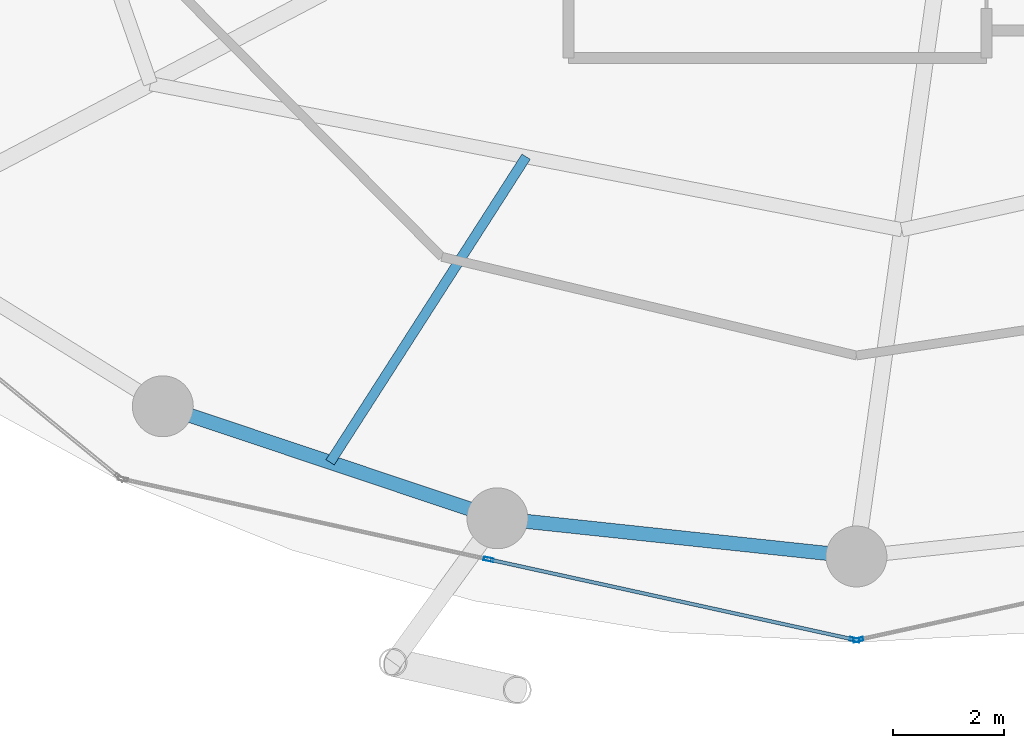
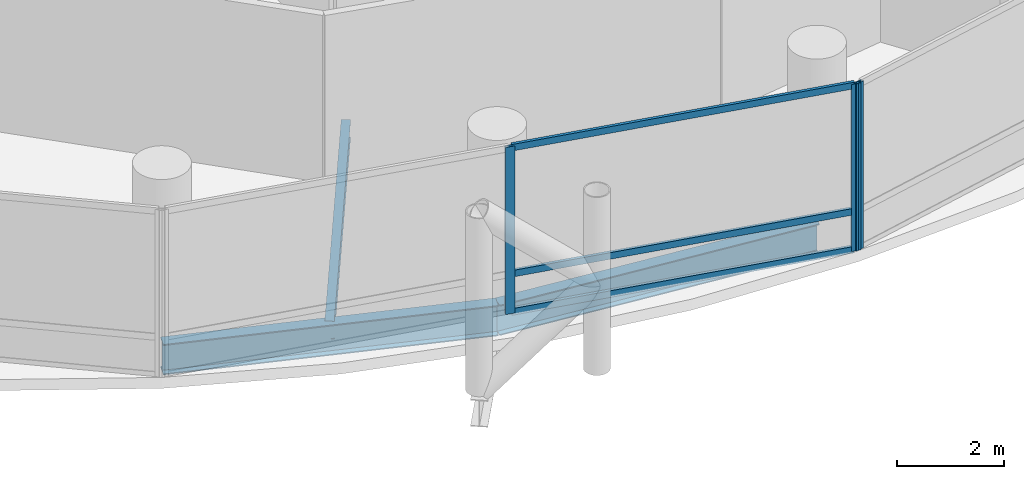
# One storey, part 4 of 24: 6 members, 3 beams, 2 elements without a shape of their own.
"""IFC4 building model written with IfcOpenShell, lengths in metres."""

from ifc_helpers import new_model, si_unit, direction, frame, origin, origin_2d, place, context, subcontext, project, spatial, hollow_rectangle, i_section, extrude, material, layer, layer_set, material_profile, profile_set, type_object, element, aggregate, save


model = new_model("IFC4")

# Units and contexts
model_context = context("Model", 3, precision=1e-05, world=origin(), true_north=direction((0.0, 1.0)))
body_context = subcontext(model_context, "Body", "Model", "MODEL_VIEW")
ifc_project = project(units=[si_unit("LENGTHUNIT", "METRE"), si_unit("AREAUNIT", "SQUARE_METRE"), si_unit("VOLUMEUNIT", "CUBIC_METRE"), si_unit("PLANEANGLEUNIT", "RADIAN"), si_unit("MASSUNIT", "GRAM", prefix="KILO")], contexts=[model_context])

# Site, building, storey
site_placement = place(None, origin())
site = spatial("IfcSite", under=ifc_project, at=site_placement, CompositionType="ELEMENT")
building_placement = place(site_placement, origin())
building = spatial("IfcBuilding", under=site, at=building_placement, Name="Nuhasar Tower", CompositionType="ELEMENT")
storey_placement = place(building_placement, frame((0.0, 0.0, 85.800048828125)))
storey = spatial("IfcBuildingStorey", under=building, at=storey_placement, Name="L20", CompositionType="ELEMENT", Elevation=85.800048828125)

# Beams
ifc_material_1 = material(Name="Steel S355", Category="steel")
ifc_material_profile_1 = material_profile(ifc_material_1, i_section(OverallWidth=0.177978515625, OverallDepth=0.406005859375, WebThickness=0.0078125, FlangeThickness=0.0126953125, at=origin_2d()), Name="W16X40")
ifc_profile_set_1 = profile_set([ifc_material_profile_1], Name="Steel S355")
beam_type_1 = type_object("IfcBeamType", Name="BM-JST-W16X40", PredefinedType="JOIST", material=ifc_profile_set_1)
beam_1_placement = place(storey_placement, frame((33.035888671875, 13.77001953125, -0.453125), z_axis=(-0.539944240715, -0.841700788237, 0.0), x_axis=(0.841700788237, -0.539944240715, 0.0)))
element("IfcBeam", 1, at=beam_1_placement, inside=storey, type_object=beam_type_1, Name="L20 Secondary Floor Joist 01", PredefinedType="JOIST", context=body_context, shape_type="SweptSolid", body=[
    extrude(i_section(OverallWidth=0.177978515625, OverallDepth=0.406005859375, WebThickness=0.0078125, FlangeThickness=0.0126953125, at=origin_2d()), origin(), (0.0, 0.0, 1.0), 6.555908203125),
])
ifc_material_profile_2 = material_profile(ifc_material_1, i_section(OverallWidth=0.256103515625, OverallDepth=0.693115234375, WebThickness=0.014404296875, FlangeThickness=0.023681640625, at=origin_2d()), Name="W27X114")
ifc_profile_set_2 = profile_set([ifc_material_profile_2], Name="Steel S355")
beam_type_2 = type_object("IfcBeamType", Name="BM-RING-W27X114", PredefinedType="SPANDREL", material=ifc_profile_set_2)
beam_2_placement = place(storey_placement, frame((26.47509765625, 9.262939453125, -0.59716796875), z_axis=(0.94826097201, -0.317491935271, 0.0), x_axis=(0.317491935271, 0.94826097201, 0.0)))
element("IfcBeam", 2, at=beam_2_placement, inside=storey, type_object=beam_type_2, Name="L20 Perimeter Ring Spandrel 17", PredefinedType="SPANDREL", context=body_context, shape_type="SweptSolid", body=[
    extrude(i_section(OverallWidth=0.256103515625, OverallDepth=0.693115234375, WebThickness=0.014404296875, FlangeThickness=0.023681640625, at=origin_2d()), origin(), (0.0, 0.0, 1.0), 6.37158203125),
])
beam_3_placement = place(storey_placement, frame((32.51708984375, 7.239990234375, -0.59716796875), z_axis=(0.994384554061, -0.105827022286, 0.0), x_axis=(0.105827022286, 0.994384554061, 0.0)))
element("IfcBeam", 3, at=beam_3_placement, inside=storey, type_object=beam_type_2, Name="L20 Perimeter Ring Spandrel 18", PredefinedType="SPANDREL", context=body_context, shape_type="SweptSolid", body=[
    extrude(i_section(OverallWidth=0.256103515625, OverallDepth=0.693115234375, WebThickness=0.014404296875, FlangeThickness=0.023681640625, at=origin_2d()), origin(), (0.0, 0.0, 1.0), 6.51953125),
])

# Curtain wall, members
ifc_material_2 = material(Name="Aluminium 6063-T6", Category="aluminium")
ifc_layer = layer(ifc_material_2, 0.199951171875)
ifc_layer_set = layer_set([ifc_layer], Name="Aluminium 6063-T6")
curtain_wall_type = type_object("IfcCurtainWallType", Name="CW-Z1-OFF", PredefinedType="NOTDEFINED", material=ifc_layer_set)
curtain_wall_1_placement = place(storey_placement, origin())
curtain_wall_1 = element("IfcCurtainWall", 4, at=curtain_wall_1_placement, inside=storey, type_object=curtain_wall_type, Name="L20 Unitised Curtain Wall 09", PredefinedType="NOTDEFINED")
ifc_material_profile_3 = material_profile(ifc_material_2, hollow_rectangle(XDim=0.06494140625, YDim=0.179931640625, WallThickness=0.0048828125, at=origin_2d()), Name="CWM-2")
ifc_profile_set_3 = profile_set([ifc_material_profile_3], Name="Aluminium 6063-T6")
member_type_1 = type_object("IfcMemberType", Name="CW-MUL-S2", PredefinedType="MULLION", material=ifc_profile_set_3)
member_1_placement = place(storey_placement, frame((32.360107421875, 6.49755859375, 0.0), z_axis=(0.0, 0.0, 1.0), x_axis=(0.214398737637, 0.976746221544, 0.0)))
member_1 = element("IfcMember", 5, at=member_1_placement, type_object=member_type_1, Name="CW-Z1 mullion 2", PredefinedType="MULLION", context=body_context, shape_type="SweptSolid", body=[
    extrude(hollow_rectangle(XDim=0.06494140625, YDim=0.179931640625, WallThickness=0.0048828125, at=origin_2d()), origin(), (0.0, 0.0, 1.0), 3.800048828125),
])
member_2_placement = place(storey_placement, frame((38.96826171875, 5.046875, 0.0), z_axis=(0.0, 0.0, 1.0), x_axis=(0.214398737637, 0.976746221544, 0.0)))
member_2 = element("IfcMember", 6, at=member_2_placement, type_object=member_type_1, Name="CW-Z1 mullion 3", PredefinedType="MULLION", context=body_context, shape_type="SweptSolid", body=[
    extrude(hollow_rectangle(XDim=0.06494140625, YDim=0.179931640625, WallThickness=0.0048828125, at=origin_2d()), origin(), (0.0, 0.0, 1.0), 3.800048828125),
])

# Curtain wall, member
curtain_wall_2_placement = place(storey_placement, origin())
curtain_wall_2 = element("IfcCurtainWall", 7, at=curtain_wall_2_placement, inside=storey, type_object=curtain_wall_type, Name="L20 Unitised Curtain Wall 10", PredefinedType="NOTDEFINED")
member_3_placement = place(storey_placement, frame((39.03173828125, 5.046875, 0.0), z_axis=(0.0, 0.0, 1.0), x_axis=(-0.214398737637, 0.976746221544, 0.0)))
member_3 = element("IfcMember", 8, at=member_3_placement, type_object=member_type_1, Name="CW-Z1 mullion 1", PredefinedType="MULLION", context=body_context, shape_type="SweptSolid", body=[
    extrude(hollow_rectangle(XDim=0.06494140625, YDim=0.179931640625, WallThickness=0.0048828125, at=origin_2d()), origin(), (0.0, 0.0, 1.0), 3.800048828125),
])
aggregate(curtain_wall_2, [member_3])

# Member
ifc_material_profile_4 = material_profile(ifc_material_2, hollow_rectangle(XDim=0.06494140625, YDim=0.14990234375, WallThickness=0.00439453125, at=origin_2d()), Name="CWT-2")
ifc_profile_set_4 = profile_set([ifc_material_profile_4], Name="Aluminium 6063-T6")
member_type_2 = type_object("IfcMemberType", Name="CW-TRN-S2", PredefinedType="USERDEFINED", material=ifc_profile_set_4)
member_4_placement = place(storey_placement, frame((32.391845703125, 6.490478515625, 0.032470703125), z_axis=(0.976747879138, -0.214391185916, 0.0), x_axis=(0.214391185916, 0.976747879138, 0.0)))
member_4 = element("IfcMember", 9, at=member_4_placement, type_object=member_type_2, Name="CW-Z1 transom 2.1", ObjectType="TRANSOM", PredefinedType="USERDEFINED", context=body_context, shape_type="SweptSolid", body=[
    extrude(hollow_rectangle(XDim=0.06494140625, YDim=0.14990234375, WallThickness=0.00439453125, at=origin_2d()), origin(), (0.0, 0.0, 1.0), 6.700439453125),
])

member_5_placement = place(storey_placement, frame((32.391845703125, 6.490478515625, 0.89990234375), z_axis=(0.976747879138, -0.214391185916, 0.0), x_axis=(0.214391185916, 0.976747879138, 0.0)))
member_5 = element("IfcMember", 10, at=member_5_placement, type_object=member_type_2, Name="CW-Z1 transom 2.2", ObjectType="TRANSOM", PredefinedType="USERDEFINED", context=body_context, shape_type="SweptSolid", body=[
    extrude(hollow_rectangle(XDim=0.06494140625, YDim=0.14990234375, WallThickness=0.00439453125, at=origin_2d()), origin(), (0.0, 0.0, 1.0), 6.700439453125),
])

member_6_placement = place(storey_placement, frame((32.391845703125, 6.490478515625, 3.767333984375), z_axis=(0.976747879138, -0.214391185916, 0.0), x_axis=(0.214391185916, 0.976747879138, 0.0)))
member_6 = element("IfcMember", 11, at=member_6_placement, type_object=member_type_2, Name="CW-Z1 transom 2.3", ObjectType="TRANSOM", PredefinedType="USERDEFINED", context=body_context, shape_type="SweptSolid", body=[
    extrude(hollow_rectangle(XDim=0.06494140625, YDim=0.14990234375, WallThickness=0.00439453125, at=origin_2d()), origin(), (0.0, 0.0, 1.0), 6.700439453125),
])

aggregate(curtain_wall_1, [member_1, member_2, member_4, member_5, member_6])

save(model, "model.ifc")
